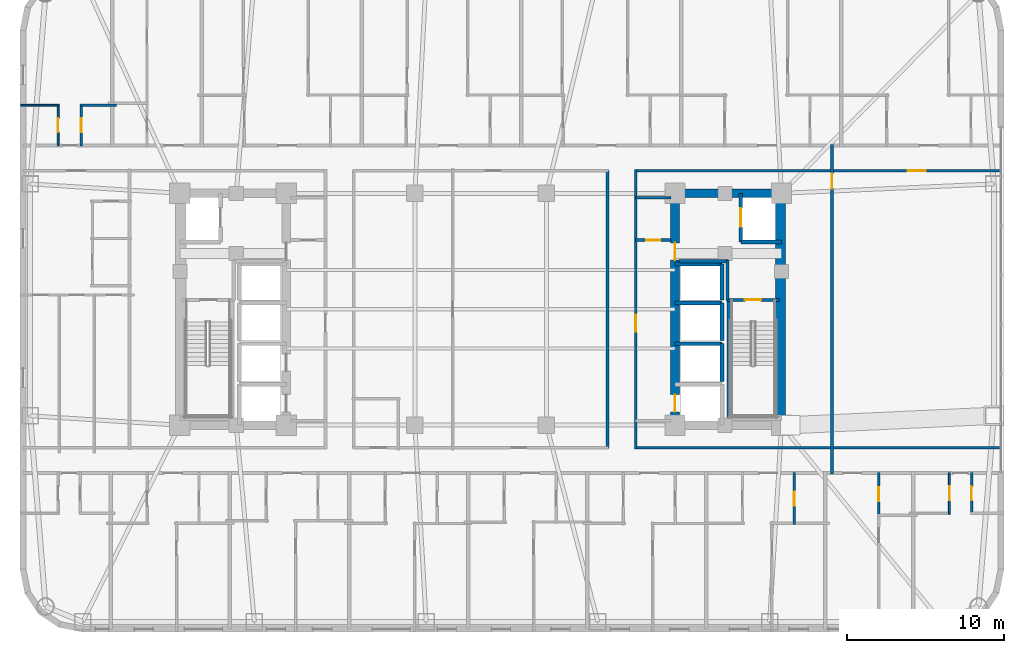
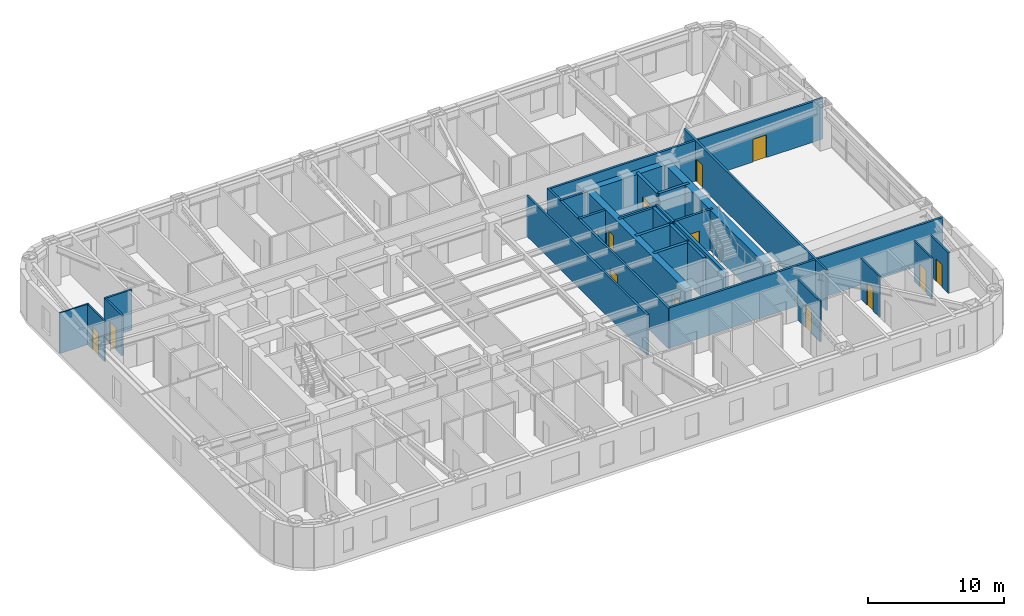
# One storey, part 11 of 16: 30 walls, 14 doors, 14 openings.
"""IFC4 building model written with IfcOpenShell, lengths in metres."""

from ifc_helpers import new_model, si_unit, direction, frame, frame_2d, origin, place, context, subcontext, project, spatial, rectangle, extrude, material, layer, layer_set, type_object, element, fill, save


model = new_model("IFC4")

# Units and contexts
model_context = context("Model", 3, precision=1e-05, world=origin(), true_north=direction((0.0, 1.0)))
body_context = subcontext(model_context, "Body", "Model", "MODEL_VIEW")
ifc_project = project(units=[si_unit("LENGTHUNIT", "METRE"), si_unit("AREAUNIT", "SQUARE_METRE"), si_unit("VOLUMEUNIT", "CUBIC_METRE"), si_unit("PLANEANGLEUNIT", "RADIAN"), si_unit("MASSUNIT", "GRAM", prefix="KILO")], contexts=[model_context])

# Site, building, storey
site_placement = place(None, origin())
site = spatial("IfcSite", under=ifc_project, at=site_placement, CompositionType="ELEMENT")
building_placement = place(site_placement, origin())
building = spatial("IfcBuilding", under=site, at=building_placement, Name="Voryun Gate Residences", CompositionType="ELEMENT")
storey_placement = place(building_placement, frame((0.0, 0.0, 93.60009765625)))
storey = spatial("IfcBuildingStorey", under=building, at=storey_placement, Name="L22", CompositionType="ELEMENT", Elevation=93.60009765625)

# Wall
ifc_material_1 = material(Name="Concrete C60/75", Category="concrete")
ifc_layer_1 = layer(ifc_material_1, 0.550048828125, Name="CW_CORE_550")
ifc_layer_set_1 = layer_set([ifc_layer_1], Name="Concrete C60/75")
wall_type_1 = type_object("IfcWallType", Name="CW_CORE_550", PredefinedType="SHEAR", material=ifc_layer_set_1)
wall_1_placement = place(storey_placement, frame((12.125, 7.39990234375, 0.0), z_axis=(0.0, 0.0, 1.0), x_axis=(1.0, 0.0, 0.0)))
element("IfcWall", 1, at=wall_1_placement, inside=storey, type_object=wall_type_1, Name="L22 Core shear wall CW-L22-EN", PredefinedType="SHEAR", context=body_context, shape_type="SweptSolid", body=[
    extrude(rectangle(XDim=7.35009765625, YDim=0.550048828125, at=frame_2d((3.675048828125, 0.0))), origin(), (0.0, 0.0, 1.0), 3.64990234375),
])

# Wall, openings, doors
wall_2_placement = place(storey_placement, frame((12.39990234375, -7.39990234375, 0.0), z_axis=(0.0, 0.0, 1.0), x_axis=(0.0, 1.0, 0.0)))
wall_2 = element("IfcWall", 2, at=wall_2_placement, inside=storey, type_object=wall_type_1, Name="L22 Core shear wall CW-L22-EW", PredefinedType="SHEAR", context=body_context, shape_type="SweptSolid", body=[
    extrude(rectangle(XDim=14.7998046875, YDim=0.550048828125, at=frame_2d((7.39990234375, 0.0))), origin(), (0.0, 0.0, 1.0), 3.64990234375),
])
opening_1_placement = place(wall_2_placement, frame((0.85009765625, 0.0, 0.0)))
opening_1 = element("IfcOpeningElement", 3, at=opening_1_placement, cuts=wall_2, Name="Opening LD2", PredefinedType="OPENING", context=body_context, shape_type="SweptSolid", body=[
    extrude(rectangle(XDim=1.10009765625, YDim=2.050048828125, at=frame_2d((0.550048828125, 1.02490234375))), frame((0.0, 0.284912109375, 0.0), z_axis=(0.0, -1.0, 0.0), x_axis=(1.0, 0.0, 0.0)), (0.0, 0.0, 1.0), 0.570068359375),
])
opening_2_placement = place(wall_2_placement, frame((10.530029296875, 0.0, 0.0)))
opening_2 = element("IfcOpeningElement", 4, at=opening_2_placement, cuts=wall_2, Name="Opening D-FD60-2", PredefinedType="OPENING", context=body_context, shape_type="SweptSolid", body=[
    extrude(rectangle(XDim=1.10009765625, YDim=2.050048828125, at=frame_2d((0.550048828125, 1.02490234375))), frame((0.0, 0.284912109375, 0.0), z_axis=(0.0, -1.0, 0.0), x_axis=(1.0, 0.0, 0.0)), (0.0, 0.0, 1.0), 0.570068359375),
])
ifc_material_2 = material(Name="Painted steel fire door", Category="steel")
door_type_1 = type_object("IfcDoorType", Name="DR_FD60_FFLOB_1100", OperationType="NOTDEFINED", PredefinedType="DOOR", material=ifc_material_2)
door_1_placement = place(opening_2_placement, origin())
door_1 = element("IfcDoor", 5, at=door_1_placement, inside=storey, type_object=door_type_1, Name="Door DR-L22-CLOB-E", OperationType="SINGLE_SWING_RIGHT", OverallHeight=2.050048828125, OverallWidth=1.10009765625, PredefinedType="DOOR", context=body_context, shape_type="SweptSolid", body=[
    extrude(rectangle(XDim=1.10009765625, YDim=2.050048828125, at=frame_2d((0.550048828125, 1.02490234375))), frame((0.0, 0.02490234375, 0.0), z_axis=(0.0, -1.0, 0.0), x_axis=(1.0, 0.0, 0.0)), (0.0, 0.0, 1.0), 0.050048828125),
])
fill(opening_2, door_1)
ifc_material_3 = material(Name="Anodised aluminium", Category="aluminium")
door_type_2 = type_object("IfcDoorType", Name="DR_LD_PASS_1100", OperationType="NOTDEFINED", PredefinedType="DOOR", material=ifc_material_3)
door_2_placement = place(opening_1_placement, origin())
door_2 = element("IfcDoor", 6, at=door_2_placement, inside=storey, type_object=door_type_2, Name="Lift EL-P3 sliding landing door L22", OperationType="SLIDING_TO_LEFT", OverallHeight=2.050048828125, OverallWidth=1.10009765625, PredefinedType="DOOR", context=body_context, shape_type="SweptSolid", body=[
    extrude(rectangle(XDim=1.10009765625, YDim=2.050048828125, at=frame_2d((0.550048828125, 1.02490234375))), frame((0.0, 0.02490234375, 0.0), z_axis=(0.0, -1.0, 0.0), x_axis=(1.0, 0.0, 0.0)), (0.0, 0.0, 1.0), 0.050048828125),
])
fill(opening_1, door_2)

# Wall
ifc_material_4 = material(Name="Concrete C60/75", Category="concrete")
ifc_layer_2 = layer(ifc_material_4, 0.64990234375, Name="CW_CORE_650")
ifc_layer_set_2 = layer_set([ifc_layer_2], Name="Concrete C60/75")
wall_type_2 = type_object("IfcWallType", Name="CW_CORE_650", PredefinedType="SHEAR", material=ifc_layer_set_2)
wall_3_placement = place(storey_placement, frame((19.14501953125, -7.39990234375, 0.0), z_axis=(0.0, 0.0, 1.0), x_axis=(0.0, 1.0, 0.0)))
element("IfcWall", 7, at=wall_3_placement, inside=storey, type_object=wall_type_2, Name="L22 Core shear wall CW-L22-EE", PredefinedType="SHEAR", context=body_context, shape_type="SweptSolid", body=[
    extrude(rectangle(XDim=14.7998046875, YDim=0.64990234375, at=frame_2d((7.39990234375, 0.0))), origin(), (0.0, 0.0, 1.0), 3.64990234375),
])

# Wall, opening, door
ifc_material_5 = material(Name="Gypsum acoustic fireboard")
ifc_layer_3 = layer(ifc_material_5, 0.179931640625, Name="W_CORR_RATED_180")
ifc_layer_set_3 = layer_set([ifc_layer_3], Name="Gypsum acoustic fireboard")
wall_type_3 = type_object("IfcWallType", Name="W_CORR_RATED_180", PredefinedType="PARTITIONING", material=ifc_layer_set_3)
wall_4_placement = place(storey_placement, frame((15.699951171875, 0.60009765625, 0.0), z_axis=(0.0, 0.0, 1.0), x_axis=(1.0, 0.0, 0.0)))
wall_4 = element("IfcWall", 8, at=wall_4_placement, inside=storey, type_object=wall_type_3, Name="Partition wall WP-L22-STV-E", PredefinedType="PARTITIONING", context=body_context, shape_type="SweptSolid", body=[
    extrude(rectangle(XDim=3.360107421875, YDim=0.179931640625, at=frame_2d((1.68017578125, 0.0))), origin(), (0.0, 0.0, 1.0), 3.64990234375),
])
opening_3_placement = place(wall_4_placement, frame((1.155029296875, 0.0, 0.0)))
opening_3 = element("IfcOpeningElement", 9, at=opening_3_placement, cuts=wall_4, Name="Opening D-FD60-1", PredefinedType="OPENING", context=body_context, shape_type="SweptSolid", body=[
    extrude(rectangle(XDim=1.050048828125, YDim=2.050048828125, at=frame_2d((0.52490234375, 1.02490234375))), frame((0.0, 0.099853515625, 0.0), z_axis=(0.0, -1.0, 0.0), x_axis=(1.0, 0.0, 0.0)), (0.0, 0.0, 1.0), 0.199951171875),
])
ifc_material_6 = material(Name="Painted steel fire door", Category="steel")
door_type_3 = type_object("IfcDoorType", Name="DR_FD60_STAIR_1050", OperationType="NOTDEFINED", PredefinedType="DOOR", material=ifc_material_6)
door_3_placement = place(opening_3_placement, origin())
door_3 = element("IfcDoor", 10, at=door_3_placement, inside=storey, type_object=door_type_3, Name="Door DR-L22-ST-E", OperationType="SINGLE_SWING_RIGHT", OverallHeight=2.050048828125, OverallWidth=1.050048828125, PredefinedType="DOOR", context=body_context, shape_type="SweptSolid", body=[
    extrude(rectangle(XDim=1.050048828125, YDim=2.050048828125, at=frame_2d((0.52490234375, 1.02490234375))), frame((0.0, 0.02490234375, 0.0), z_axis=(0.0, -1.0, 0.0), x_axis=(1.0, 0.0, 0.0)), (0.0, 0.0, 1.0), 0.050048828125),
])
fill(opening_3, door_3)

# Wall
wall_5_placement = place(storey_placement, frame((9.8798828125, 7.1201171875, 0.0), z_axis=(0.0, 0.0, 1.0), x_axis=(1.0, 0.0, 0.0)))
element("IfcWall", 11, at=wall_5_placement, inside=storey, type_object=wall_type_3, Name="Partition wall WP-L22-PLBN-E", PredefinedType="PARTITIONING", context=body_context, shape_type="SweptSolid", body=[
    extrude(rectangle(XDim=2.27001953125, YDim=0.179931640625, at=frame_2d((1.135009765625, 0.0))), origin(), (0.0, 0.0, 1.0), 3.64990234375),
])

# Wall, opening, door
wall_6_placement = place(storey_placement, frame((9.89990234375, -8.929931640625, 0.0), z_axis=(0.0, 0.0, 1.0), x_axis=(0.0, 1.0, 0.0)))
wall_6 = element("IfcWall", 12, at=wall_6_placement, inside=storey, type_object=wall_type_3, Name="Partition wall WP-L22-PLBE-FULL", PredefinedType="PARTITIONING", context=body_context, shape_type="SweptSolid", body=[
    extrude(rectangle(XDim=17.85986328125, YDim=0.179931640625, at=frame_2d((8.929931640625, 0.0))), origin(), (0.0, 0.0, 1.0), 3.64990234375),
])
opening_4_placement = place(wall_6_placement, frame((7.487060546875, 0.0, 0.0)))
opening_4 = element("IfcOpeningElement", 13, at=opening_4_placement, cuts=wall_6, Name="Opening D-FD60-2", PredefinedType="OPENING", context=body_context, shape_type="SweptSolid", body=[
    extrude(rectangle(XDim=1.10009765625, YDim=2.050048828125, at=frame_2d((0.550048828125, 1.02490234375))), frame((0.0, 0.099853515625, 0.0), z_axis=(0.0, -1.0, 0.0), x_axis=(1.0, 0.0, 0.0)), (0.0, 0.0, 1.0), 0.199951171875),
])
door_4_placement = place(opening_4_placement, origin())
door_4 = element("IfcDoor", 14, at=door_4_placement, inside=storey, type_object=door_type_1, Name="Door DR-L22-PLBE-COR", OperationType="SINGLE_SWING_RIGHT", OverallHeight=2.050048828125, OverallWidth=1.10009765625, PredefinedType="DOOR", context=body_context, shape_type="SweptSolid", body=[
    extrude(rectangle(XDim=1.10009765625, YDim=2.050048828125, at=frame_2d((0.550048828125, 1.02490234375))), frame((0.0, 0.02490234375, 0.0), z_axis=(0.0, -1.0, 0.0), x_axis=(1.0, 0.0, 0.0)), (0.0, 0.0, 1.0), 0.050048828125),
])
fill(opening_4, door_4)

wall_7_placement = place(storey_placement, frame((9.8798828125, 8.840087890625, 0.0), z_axis=(0.0, 0.0, 1.0), x_axis=(1.0, 0.0, 0.0)))
wall_7 = element("IfcWall", 15, at=wall_7_placement, inside=storey, type_object=wall_type_3, Name="Partition wall WP-L22-CWING-EN", PredefinedType="PARTITIONING", context=body_context, shape_type="SweptSolid", body=[
    extrude(rectangle(XDim=23.330078125, YDim=0.179931640625, at=frame_2d((11.6650390625, 0.0))), origin(), (0.0, 0.0, 1.0), 3.64990234375),
])
opening_5_placement = place(wall_7_placement, frame((17.36572265625, 0.0, 0.0)))
opening_5 = element("IfcOpeningElement", 16, at=opening_5_placement, cuts=wall_7, Name="Opening D-UNIT-1", PredefinedType="OPENING", context=body_context, shape_type="SweptSolid", body=[
    extrude(rectangle(XDim=1.14990234375, YDim=2.050048828125, at=frame_2d((0.574951171875, 1.02490234375))), frame((0.0, 0.099853515625, 0.0), z_axis=(0.0, -1.0, 0.0), x_axis=(1.0, 0.0, 0.0)), (0.0, 0.0, 1.0), 0.199951171875),
])
ifc_material_7 = material(Name="Armoured timber-clad fire door", Category="wood")
door_type_4 = type_object("IfcDoorType", Name="DR_UNIT_ENTRY_1150", OperationType="NOTDEFINED", PredefinedType="DOOR", material=ifc_material_7)
door_5_placement = place(opening_5_placement, origin())
door_5 = element("IfcDoor", 17, at=door_5_placement, inside=storey, type_object=door_type_4, Name="Door DR-L22-EE1N", OperationType="SINGLE_SWING_LEFT", OverallHeight=2.050048828125, OverallWidth=1.14990234375, PredefinedType="DOOR", context=body_context, shape_type="SweptSolid", body=[
    extrude(rectangle(XDim=1.14990234375, YDim=2.050048828125, at=frame_2d((0.574951171875, 1.02490234375))), frame((0.0, 0.02490234375, 0.0), z_axis=(0.0, -1.0, 0.0), x_axis=(1.0, 0.0, 0.0)), (0.0, 0.0, 1.0), 0.050048828125),
])
fill(opening_5, door_5)

# Walls
wall_8_placement = place(storey_placement, frame((9.8798828125, -8.840087890625, 0.0), z_axis=(0.0, 0.0, 1.0), x_axis=(1.0, 0.0, 0.0)))
element("IfcWall", 18, at=wall_8_placement, inside=storey, type_object=wall_type_3, Name="Partition wall WP-L22-CWING-ES", PredefinedType="PARTITIONING", context=body_context, shape_type="SweptSolid", body=[
    extrude(rectangle(XDim=23.330078125, YDim=0.179931640625, at=frame_2d((11.6650390625, 0.0))), origin(), (0.0, 0.0, 1.0), 3.64990234375),
])
wall_9_placement = place(storey_placement, frame((8.10009765625, -8.8798828125, 0.0), z_axis=(0.0, 0.0, 1.0), x_axis=(0.0, 1.0, 0.0)))
element("IfcWall", 19, at=wall_9_placement, inside=storey, type_object=wall_type_3, Name="Partition wall WP-L22-Z1E", PredefinedType="PARTITIONING", context=body_context, shape_type="SweptSolid", body=[
    extrude(rectangle(XDim=17.759765625, YDim=0.179931640625, at=frame_2d((8.8798828125, 0.0))), origin(), (0.0, 0.0, 1.0), 3.64990234375),
])

# Wall, opening, door
wall_10_placement = place(storey_placement, frame((22.419921875, -10.5, 0.0), z_axis=(0.0, 0.0, 1.0), x_axis=(0.0, 1.0, 0.0)))
wall_10 = element("IfcWall", 20, at=wall_10_placement, inside=storey, type_object=wall_type_3, Name="Partition wall WP-L22-ESG", PredefinedType="PARTITIONING", context=body_context, shape_type="SweptSolid", body=[
    extrude(rectangle(XDim=21.0, YDim=0.179931640625, at=frame_2d((10.5, 0.0))), origin(), (0.0, 0.0, 1.0), 3.64990234375),
])
opening_6_placement = place(wall_10_placement, frame((18.205078125, 0.0, 0.0)))
opening_6 = element("IfcOpeningElement", 21, at=opening_6_placement, cuts=wall_10, Name="Opening D-INT-1", PredefinedType="OPENING", context=body_context, shape_type="SweptSolid", body=[
    extrude(rectangle(XDim=0.949951171875, YDim=2.050048828125, at=frame_2d((0.47509765625, 1.02490234375))), frame((0.0, 0.099853515625, 0.0), z_axis=(0.0, -1.0, 0.0), x_axis=(1.0, 0.0, 0.0)), (0.0, 0.0, 1.0), 0.199951171875),
])
ifc_material_8 = material(Name="Architectural oak veneer")
door_type_5 = type_object("IfcDoorType", Name="DR_INT_ROOM_950", OperationType="NOTDEFINED", PredefinedType="DOOR", material=ifc_material_8)
door_6_placement = place(opening_6_placement, origin())
door_6 = element("IfcDoor", 22, at=door_6_placement, inside=storey, type_object=door_type_5, Name="Door DR-L22-ESG", OperationType="SINGLE_SWING_LEFT", OverallHeight=2.050048828125, OverallWidth=0.949951171875, PredefinedType="DOOR", context=body_context, shape_type="SweptSolid", body=[
    extrude(rectangle(XDim=0.949951171875, YDim=2.050048828125, at=frame_2d((0.47509765625, 1.02490234375))), frame((0.0, 0.02490234375, 0.0), z_axis=(0.0, -1.0, 0.0), x_axis=(1.0, 0.0, 0.0)), (0.0, 0.0, 1.0), 0.050048828125),
])
fill(opening_6, door_6)

# Walls
ifc_material_9 = material(Name="Concrete C40/50", Category="concrete")
ifc_layer_4 = layer(ifc_material_9, 0.199951171875, Name="W_FF_LOBBY_200")
ifc_layer_set_4 = layer_set([ifc_layer_4], Name="Concrete C40/50")
wall_type_4 = type_object("IfcWallType", Name="W_FF_LOBBY_200", PredefinedType="PARTITIONING", material=ifc_layer_set_4)
wall_11_placement = place(storey_placement, frame((15.760009765625, 0.580078125, 0.0), z_axis=(0.0, 0.0, 1.0), x_axis=(0.0, 1.0, 0.0)))
element("IfcWall", 23, at=wall_11_placement, inside=storey, type_object=wall_type_4, Name="Partition wall WP-L22-FFP0-E", PredefinedType="PARTITIONING", context=body_context, shape_type="SweptSolid", body=[
    extrude(rectangle(XDim=2.52001953125, YDim=0.199951171875, at=frame_2d((1.260009765625, 0.0))), origin(), (0.0, 0.0, 1.0), 3.64990234375),
])
wall_12_placement = place(storey_placement, frame((12.659912109375, 3.06005859375, 0.0), z_axis=(0.0, 0.0, 1.0), x_axis=(1.0, 0.0, 0.0)))
element("IfcWall", 24, at=wall_12_placement, inside=storey, type_object=wall_type_4, Name="Partition wall WP-L22-FFPS-E", PredefinedType="PARTITIONING", context=body_context, shape_type="SweptSolid", body=[
    extrude(rectangle(XDim=3.16015625, YDim=0.199951171875, at=frame_2d((1.580078125, 0.0))), origin(), (0.0, 0.0, 1.0), 3.64990234375),
])

# Wall, opening, door
wall_13_placement = place(storey_placement, frame((9.8798828125, 4.409912109375, 0.0), z_axis=(0.0, 0.0, 1.0), x_axis=(1.0, 0.0, 0.0)))
wall_13 = element("IfcWall", 25, at=wall_13_placement, inside=storey, type_object=wall_type_4, Name="Partition wall WP-L22-CSFLKS-E", PredefinedType="PARTITIONING", context=body_context, shape_type="SweptSolid", body=[
    extrude(rectangle(XDim=2.27001953125, YDim=0.199951171875, at=frame_2d((1.135009765625, 0.0))), origin(), (0.0, 0.0, 1.0), 3.64990234375),
])
opening_7_placement = place(wall_13_placement, frame((0.68505859375, 0.0, 0.0)))
opening_7 = element("IfcOpeningElement", 26, at=opening_7_placement, cuts=wall_13, Name="Opening D-FD60-4", PredefinedType="OPENING", context=body_context, shape_type="SweptSolid", body=[
    extrude(rectangle(XDim=0.89990234375, YDim=2.050048828125, at=frame_2d((0.449951171875, 1.02490234375))), frame((0.0, 0.110107421875, 0.0), z_axis=(0.0, -1.0, 0.0), x_axis=(1.0, 0.0, 0.0)), (0.0, 0.0, 1.0), 0.219970703125),
])
ifc_material_10 = material(Name="Painted steel fire door", Category="steel")
door_type_6 = type_object("IfcDoorType", Name="DR_FD60_RISER_900", OperationType="NOTDEFINED", PredefinedType="DOOR", material=ifc_material_10)
door_7_placement = place(opening_7_placement, origin())
door_7 = element("IfcDoor", 27, at=door_7_placement, inside=storey, type_object=door_type_6, Name="Door DR-L22-CSFLK-E", OperationType="SINGLE_SWING_RIGHT", OverallHeight=2.050048828125, OverallWidth=0.89990234375, PredefinedType="DOOR", context=body_context, shape_type="SweptSolid", body=[
    extrude(rectangle(XDim=0.89990234375, YDim=2.050048828125, at=frame_2d((0.449951171875, 1.02490234375))), frame((0.0, 0.02490234375, 0.0), z_axis=(0.0, -1.0, 0.0), x_axis=(1.0, 0.0, 0.0)), (0.0, 0.0, 1.0), 0.050048828125),
])
fill(opening_7, door_7)

# Walls
ifc_material_11 = material(Name="Concrete C50/60", Category="concrete")
ifc_layer_5 = layer(ifc_material_11, 0.25, Name="W_SHAFT_RC250")
ifc_layer_set_5 = layer_set([ifc_layer_5], Name="Concrete C50/60")
wall_type_5 = type_object("IfcWallType", Name="W_SHAFT_RC250", PredefinedType="SOLIDWALL", material=ifc_layer_set_5)
wall_14_placement = place(storey_placement, frame((15.860107421875, -7.0849609375, 0.0), z_axis=(0.0, 0.0, 1.0), x_axis=(0.0, 1.0, 0.0)))
element("IfcWall", 28, at=wall_14_placement, inside=storey, type_object=wall_type_5, Name="L22 Stair shaft structural wall E-STL", PredefinedType="SOLIDWALL", context=body_context, shape_type="SweptSolid", body=[
    extrude(rectangle(XDim=7.68505859375, YDim=0.25, at=frame_2d((3.842529296875, 0.0))), origin(), (0.0, 0.0, 1.0), 3.64990234375),
])
wall_15_placement = place(storey_placement, frame((16.60009765625, 4.300048828125, 0.0), z_axis=(0.0, 0.0, 1.0), x_axis=(1.0, 0.0, 0.0)))
element("IfcWall", 29, at=wall_15_placement, inside=storey, type_object=wall_type_5, Name="Lift shaft wall WSH-L22-EL-FF-E1-S", PredefinedType="SOLIDWALL", context=body_context, shape_type="SweptSolid", body=[
    extrude(rectangle(XDim=2.599853515625, YDim=0.25, at=frame_2d((1.2998046875, 0.0))), origin(), (0.0, 0.0, 1.0), 3.64990234375),
])

# Wall, opening, door
wall_16_placement = place(storey_placement, frame((16.60009765625, 7.39990234375, 0.0), z_axis=(0.0, 0.0, 1.0), x_axis=(0.0, -1.0, 0.0)))
wall_16 = element("IfcWall", 30, at=wall_16_placement, inside=storey, type_object=wall_type_5, Name="Lift shaft wall WSH-L22-EL-FF-E1-W", PredefinedType="SOLIDWALL", context=body_context, shape_type="SweptSolid", body=[
    extrude(rectangle(XDim=3.099853515625, YDim=0.25, at=frame_2d((1.5498046875, 0.0))), origin(), (0.0, 0.0, 1.0), 3.64990234375),
])
opening_8_placement = place(wall_16_placement, frame((0.949951171875, 0.0, 0.0)))
opening_8 = element("IfcOpeningElement", 31, at=opening_8_placement, cuts=wall_16, Name="Opening LD1", PredefinedType="OPENING", context=body_context, shape_type="SweptSolid", body=[
    extrude(rectangle(XDim=1.199951171875, YDim=2.050048828125, at=frame_2d((0.60009765625, 1.02490234375))), frame((0.0, 0.135009765625, 0.0), z_axis=(0.0, -1.0, 0.0), x_axis=(1.0, 0.0, 0.0)), (0.0, 0.0, 1.0), 0.27001953125),
])
ifc_material_12 = material(Name="Anodised aluminium", Category="aluminium")
door_type_7 = type_object("IfcDoorType", Name="DR_LD_FF_1200", OperationType="NOTDEFINED", PredefinedType="DOOR", material=ifc_material_12)
door_8_placement = place(opening_8_placement, origin())
door_8 = element("IfcDoor", 32, at=door_8_placement, inside=storey, type_object=door_type_7, Name="Lift EL-FF-E1 sliding landing door L22", OperationType="SLIDING_TO_LEFT", OverallHeight=2.050048828125, OverallWidth=1.199951171875, PredefinedType="DOOR", context=body_context, shape_type="SweptSolid", body=[
    extrude(rectangle(XDim=1.199951171875, YDim=2.050048828125, at=frame_2d((0.60009765625, 1.02490234375))), frame((0.0, 0.02490234375, 0.0), z_axis=(0.0, -1.0, 0.0), x_axis=(1.0, 0.0, 0.0)), (0.0, 0.0, 1.0), 0.050048828125),
])
fill(opening_8, door_8)

# Walls
wall_17_placement = place(storey_placement, frame((15.39990234375, -4.60009765625, 0.0), z_axis=(0.0, 0.0, 1.0), x_axis=(0.0, 1.0, 0.0)))
element("IfcWall", 33, at=wall_17_placement, inside=storey, type_object=wall_type_5, Name="Lift shaft wall WSH-L22-EL-P5-E", PredefinedType="SOLIDWALL", context=body_context, shape_type="SweptSolid", body=[
    extrude(rectangle(XDim=2.400146484375, YDim=0.25, at=frame_2d((1.2001953125, 0.0))), origin(), (0.0, 0.0, 1.0), 3.64990234375),
])
wall_18_placement = place(storey_placement, frame((15.39990234375, -2.199951171875, 0.0), z_axis=(0.0, 0.0, 1.0), x_axis=(-1.0, 0.0, 0.0)))
element("IfcWall", 34, at=wall_18_placement, inside=storey, type_object=wall_type_5, Name="Lift shaft wall WSH-L22-EL-P5-N", PredefinedType="SOLIDWALL", context=body_context, shape_type="SweptSolid", body=[
    extrude(rectangle(XDim=3.0, YDim=0.25, at=frame_2d((1.5, 0.0))), origin(), (0.0, 0.0, 1.0), 3.64990234375),
])
wall_19_placement = place(storey_placement, frame((15.39990234375, -2.0, 0.0), z_axis=(0.0, 0.0, 1.0), x_axis=(0.0, 1.0, 0.0)))
element("IfcWall", 35, at=wall_19_placement, inside=storey, type_object=wall_type_5, Name="Lift shaft wall WSH-L22-EL-P6-E", PredefinedType="SOLIDWALL", context=body_context, shape_type="SweptSolid", body=[
    extrude(rectangle(XDim=2.39990234375, YDim=0.25, at=frame_2d((1.199951171875, 0.0))), origin(), (0.0, 0.0, 1.0), 3.64990234375),
])
wall_20_placement = place(storey_placement, frame((15.39990234375, 0.39990234375, 0.0), z_axis=(0.0, 0.0, 1.0), x_axis=(-1.0, 0.0, 0.0)))
element("IfcWall", 36, at=wall_20_placement, inside=storey, type_object=wall_type_5, Name="Lift shaft wall WSH-L22-EL-P6-N", PredefinedType="SOLIDWALL", context=body_context, shape_type="SweptSolid", body=[
    extrude(rectangle(XDim=3.0, YDim=0.25, at=frame_2d((1.5, 0.0))), origin(), (0.0, 0.0, 1.0), 3.64990234375),
])
wall_21_placement = place(storey_placement, frame((15.39990234375, 0.60009765625, 0.0), z_axis=(0.0, 0.0, 1.0), x_axis=(0.0, 1.0, 0.0)))
element("IfcWall", 37, at=wall_21_placement, inside=storey, type_object=wall_type_5, Name="Lift shaft wall WSH-L22-EL-P8-E", PredefinedType="SOLIDWALL", context=body_context, shape_type="SweptSolid", body=[
    extrude(rectangle(XDim=2.2998046875, YDim=0.25, at=frame_2d((1.14990234375, 0.0))), origin(), (0.0, 0.0, 1.0), 3.64990234375),
])
wall_22_placement = place(storey_placement, frame((15.39990234375, 2.89990234375, 0.0), z_axis=(0.0, 0.0, 1.0), x_axis=(-1.0, 0.0, 0.0)))
element("IfcWall", 38, at=wall_22_placement, inside=storey, type_object=wall_type_5, Name="Lift shaft wall WSH-L22-EL-P8-N", PredefinedType="SOLIDWALL", context=body_context, shape_type="SweptSolid", body=[
    extrude(rectangle(XDim=3.0, YDim=0.25, at=frame_2d((1.5, 0.0))), origin(), (0.0, 0.0, 1.0), 3.64990234375),
])

# Wall, opening, door
ifc_material_13 = material(Name="Gypsum acoustic partition")
ifc_layer_6 = layer(ifc_material_13, 0.125, Name="W_UNIT_PART_125")
ifc_layer_set_6 = layer_set([ifc_layer_6], Name="Gypsum acoustic partition")
wall_type_6 = type_object("IfcWallType", Name="W_UNIT_PART_125", PredefinedType="PARTITIONING", material=ifc_layer_set_6)
wall_23_placement = place(storey_placement, frame((-26.968017578125, 10.429931640625, 0.0), z_axis=(0.0, 0.0, 1.0), x_axis=(0.0, 1.0, 0.0)))
wall_23 = element("IfcWall", 39, at=wall_23_placement, inside=storey, type_object=wall_type_6, Name="Partition wall WP-L22-N1-CVK", PredefinedType="PARTITIONING", context=body_context, shape_type="SweptSolid", body=[
    extrude(rectangle(XDim=2.650146484375, YDim=0.125, at=frame_2d((1.3251953125, 0.0))), origin(), (0.0, 0.0, 1.0), 3.64990234375),
])
opening_9_placement = place(wall_23_placement, frame((0.875, 0.0, 0.0)))
opening_9 = element("IfcOpeningElement", 40, at=opening_9_placement, cuts=wall_23, Name="Opening D-INT-2", PredefinedType="OPENING", context=body_context, shape_type="SweptSolid", body=[
    extrude(rectangle(XDim=0.89990234375, YDim=2.050048828125, at=frame_2d((0.449951171875, 1.02490234375))), frame((0.0, 0.072509765625, 0.0), z_axis=(0.0, -1.0, 0.0), x_axis=(1.0, 0.0, 0.0)), (0.0, 0.0, 1.0), 0.14501953125),
])
ifc_material_14 = material(Name="Architectural oak veneer")
door_type_8 = type_object("IfcDoorType", Name="DR_INT_BATH_900", OperationType="NOTDEFINED", PredefinedType="DOOR", material=ifc_material_14)
door_9_placement = place(opening_9_placement, origin())
door_9 = element("IfcDoor", 41, at=door_9_placement, inside=storey, type_object=door_type_8, Name="Door DR-L22-N1-DK", OperationType="SINGLE_SWING_LEFT", OverallHeight=2.050048828125, OverallWidth=0.89990234375, PredefinedType="DOOR", context=body_context, shape_type="SweptSolid", body=[
    extrude(rectangle(XDim=0.89990234375, YDim=2.050048828125, at=frame_2d((0.449951171875, 1.02490234375))), frame((0.0, 0.02490234375, 0.0), z_axis=(0.0, -1.0, 0.0), x_axis=(1.0, 0.0, 0.0)), (0.0, 0.0, 1.0), 0.050048828125),
])
fill(opening_9, door_9)

# Wall
wall_24_placement = place(storey_placement, frame((-29.360107421875, 13.02001953125, 0.0), z_axis=(0.0, 0.0, 1.0), x_axis=(1.0, 0.0, 0.0)))
element("IfcWall", 42, at=wall_24_placement, inside=storey, type_object=wall_type_6, Name="Partition wall WP-L22-N1-CHK", PredefinedType="PARTITIONING", context=body_context, shape_type="SweptSolid", body=[
    extrude(rectangle(XDim=2.4521484375, YDim=0.125, at=frame_2d((1.22607421875, 0.0))), origin(), (0.0, 0.0, 1.0), 3.64990234375),
])

# Wall, opening, door
wall_25_placement = place(storey_placement, frame((29.9189453125, -13.080078125, 0.0), z_axis=(0.0, 0.0, 1.0), x_axis=(0.0, 1.0, 0.0)))
wall_25 = element("IfcWall", 43, at=wall_25_placement, inside=storey, type_object=wall_type_6, Name="Partition wall WP-L22-S9-CVK", PredefinedType="PARTITIONING", context=body_context, shape_type="SweptSolid", body=[
    extrude(rectangle(XDim=2.650146484375, YDim=0.125, at=frame_2d((1.3251953125, 0.0))), origin(), (0.0, 0.0, 1.0), 3.64990234375),
])
opening_10_placement = place(wall_25_placement, frame((0.875, 0.0, 0.0)))
opening_10 = element("IfcOpeningElement", 44, at=opening_10_placement, cuts=wall_25, Name="Opening D-INT-2", PredefinedType="OPENING", context=body_context, shape_type="SweptSolid", body=[
    extrude(rectangle(XDim=0.89990234375, YDim=2.050048828125, at=frame_2d((0.449951171875, 1.02490234375))), frame((0.0, 0.072509765625, 0.0), z_axis=(0.0, -1.0, 0.0), x_axis=(1.0, 0.0, 0.0)), (0.0, 0.0, 1.0), 0.14501953125),
])
door_10_placement = place(opening_10_placement, origin())
door_10 = element("IfcDoor", 45, at=door_10_placement, inside=storey, type_object=door_type_8, Name="Door DR-L22-S9-DK", OperationType="SINGLE_SWING_LEFT", OverallHeight=2.050048828125, OverallWidth=0.89990234375, PredefinedType="DOOR", context=body_context, shape_type="SweptSolid", body=[
    extrude(rectangle(XDim=0.89990234375, YDim=2.050048828125, at=frame_2d((0.449951171875, 1.02490234375))), frame((0.0, 0.02490234375, 0.0), z_axis=(0.0, -1.0, 0.0), x_axis=(1.0, 0.0, 0.0)), (0.0, 0.0, 1.0), 0.050048828125),
])
fill(opening_10, door_10)

ifc_material_15 = material(Name="Gypsum moisture-resistant partition")
ifc_layer_7 = layer(ifc_material_15, 0.14990234375, Name="W_WET_PLUMB_150")
ifc_layer_set_7 = layer_set([ifc_layer_7], Name="Gypsum moisture-resistant partition")
wall_type_7 = type_object("IfcWallType", Name="W_WET_PLUMB_150", PredefinedType="PLUMBINGWALL", material=ifc_layer_set_7)
wall_26_placement = place(storey_placement, frame((-25.489990234375, 10.429931640625, 0.0), z_axis=(0.0, 0.0, 1.0), x_axis=(0.0, 1.0, 0.0)))
wall_26 = element("IfcWall", 46, at=wall_26_placement, inside=storey, type_object=wall_type_7, Name="Partition wall WP-L22-N1-CVB", PredefinedType="PLUMBINGWALL", context=body_context, shape_type="SweptSolid", body=[
    extrude(rectangle(XDim=2.650146484375, YDim=0.14990234375, at=frame_2d((1.3251953125, 0.0))), origin(), (0.0, 0.0, 1.0), 3.64990234375),
])
opening_11_placement = place(wall_26_placement, frame((0.875, 0.0, 0.0)))
opening_11 = element("IfcOpeningElement", 47, at=opening_11_placement, cuts=wall_26, Name="Opening D-INT-2", PredefinedType="OPENING", context=body_context, shape_type="SweptSolid", body=[
    extrude(rectangle(XDim=0.89990234375, YDim=2.050048828125, at=frame_2d((0.449951171875, 1.02490234375))), frame((0.0, 0.0849609375, 0.0), z_axis=(0.0, -1.0, 0.0), x_axis=(1.0, 0.0, 0.0)), (0.0, 0.0, 1.0), 0.169921875),
])
door_11_placement = place(opening_11_placement, origin())
door_11 = element("IfcDoor", 48, at=door_11_placement, inside=storey, type_object=door_type_8, Name="Door DR-L22-N1-DB", OperationType="SINGLE_SWING_RIGHT", OverallHeight=2.050048828125, OverallWidth=0.89990234375, PredefinedType="DOOR", context=body_context, shape_type="SweptSolid", body=[
    extrude(rectangle(XDim=0.89990234375, YDim=2.050048828125, at=frame_2d((0.449951171875, 1.02490234375))), frame((0.0, 0.02490234375, 0.0), z_axis=(0.0, -1.0, 0.0), x_axis=(1.0, 0.0, 0.0)), (0.0, 0.0, 1.0), 0.050048828125),
])
fill(opening_11, door_11)

# Wall
wall_27_placement = place(storey_placement, frame((-25.550048828125, 13.02001953125, 0.0), z_axis=(0.0, 0.0, 1.0), x_axis=(1.0, 0.0, 0.0)))
element("IfcWall", 49, at=wall_27_placement, inside=storey, type_object=wall_type_7, Name="Partition wall WP-L22-N1-CHB", PredefinedType="PLUMBINGWALL", context=body_context, shape_type="SweptSolid", body=[
    extrude(rectangle(XDim=2.301025390625, YDim=0.14990234375, at=frame_2d((1.150390625, 0.0))), origin(), (0.0, 0.0, 1.0), 3.64990234375),
])

# Wall, opening, door
wall_28_placement = place(storey_placement, frame((20.02001953125, -13.73291015625, 0.0), z_axis=(0.0, 0.0, 1.0), x_axis=(0.0, 1.0, 0.0)))
wall_28 = element("IfcWall", 50, at=wall_28_placement, inside=storey, type_object=wall_type_7, Name="Partition wall WP-L22-S7-IVB", PredefinedType="PLUMBINGWALL", context=body_context, shape_type="SweptSolid", body=[
    extrude(rectangle(XDim=3.302978515625, YDim=0.14990234375, at=frame_2d((1.6513671875, 0.0))), origin(), (0.0, 0.0, 1.0), 3.64990234375),
])
opening_12_placement = place(wall_28_placement, frame((1.201416015625, 0.0, 0.0)))
opening_12 = element("IfcOpeningElement", 51, at=opening_12_placement, cuts=wall_28, Name="Opening D-INT-2", PredefinedType="OPENING", context=body_context, shape_type="SweptSolid", body=[
    extrude(rectangle(XDim=0.89990234375, YDim=2.050048828125, at=frame_2d((0.449951171875, 1.02490234375))), frame((0.0, 0.0849609375, 0.0), z_axis=(0.0, -1.0, 0.0), x_axis=(1.0, 0.0, 0.0)), (0.0, 0.0, 1.0), 0.169921875),
])
door_12_placement = place(opening_12_placement, origin())
door_12 = element("IfcDoor", 52, at=door_12_placement, inside=storey, type_object=door_type_8, Name="Door DR-L22-S7-DB", OperationType="SINGLE_SWING_RIGHT", OverallHeight=2.050048828125, OverallWidth=0.89990234375, PredefinedType="DOOR", context=body_context, shape_type="SweptSolid", body=[
    extrude(rectangle(XDim=0.89990234375, YDim=2.050048828125, at=frame_2d((0.449951171875, 1.02490234375))), frame((0.0, 0.02490234375, 0.0), z_axis=(0.0, -1.0, 0.0), x_axis=(1.0, 0.0, 0.0)), (0.0, 0.0, 1.0), 0.050048828125),
])
fill(opening_12, door_12)

wall_29_placement = place(storey_placement, frame((25.39892578125, -13.18994140625, 0.0), z_axis=(0.0, 0.0, 1.0), x_axis=(0.0, 1.0, 0.0)))
wall_29 = element("IfcWall", 53, at=wall_29_placement, inside=storey, type_object=wall_type_7, Name="Partition wall WP-L22-S8-SVT2", PredefinedType="PLUMBINGWALL", context=body_context, shape_type="SweptSolid", body=[
    extrude(rectangle(XDim=2.760009765625, YDim=0.14990234375, at=frame_2d((1.3798828125, 0.0))), origin(), (0.0, 0.0, 1.0), 3.64990234375),
])
opening_13_placement = place(wall_29_placement, frame((0.929931640625, 0.0, 0.0)))
opening_13 = element("IfcOpeningElement", 54, at=opening_13_placement, cuts=wall_29, Name="Opening D-INT-2", PredefinedType="OPENING", context=body_context, shape_type="SweptSolid", body=[
    extrude(rectangle(XDim=0.89990234375, YDim=2.050048828125, at=frame_2d((0.449951171875, 1.02490234375))), frame((0.0, 0.0849609375, 0.0), z_axis=(0.0, -1.0, 0.0), x_axis=(1.0, 0.0, 0.0)), (0.0, 0.0, 1.0), 0.169921875),
])
door_13_placement = place(opening_13_placement, origin())
door_13 = element("IfcDoor", 55, at=door_13_placement, inside=storey, type_object=door_type_8, Name="Door DR-L22-S8-DB", OperationType="SINGLE_SWING_RIGHT", OverallHeight=2.050048828125, OverallWidth=0.89990234375, PredefinedType="DOOR", context=body_context, shape_type="SweptSolid", body=[
    extrude(rectangle(XDim=0.89990234375, YDim=2.050048828125, at=frame_2d((0.449951171875, 1.02490234375))), frame((0.0, 0.02490234375, 0.0), z_axis=(0.0, -1.0, 0.0), x_axis=(1.0, 0.0, 0.0)), (0.0, 0.0, 1.0), 0.050048828125),
])
fill(opening_13, door_13)

wall_30_placement = place(storey_placement, frame((31.3310546875, -13.080078125, 0.0), z_axis=(0.0, 0.0, 1.0), x_axis=(0.0, 1.0, 0.0)))
wall_30 = element("IfcWall", 56, at=wall_30_placement, inside=storey, type_object=wall_type_7, Name="Partition wall WP-L22-S9-CVB", PredefinedType="PLUMBINGWALL", context=body_context, shape_type="SweptSolid", body=[
    extrude(rectangle(XDim=2.650146484375, YDim=0.14990234375, at=frame_2d((1.3251953125, 0.0))), origin(), (0.0, 0.0, 1.0), 3.64990234375),
])
opening_14_placement = place(wall_30_placement, frame((0.875, 0.0, 0.0)))
opening_14 = element("IfcOpeningElement", 57, at=opening_14_placement, cuts=wall_30, Name="Opening D-INT-2", PredefinedType="OPENING", context=body_context, shape_type="SweptSolid", body=[
    extrude(rectangle(XDim=0.89990234375, YDim=2.050048828125, at=frame_2d((0.449951171875, 1.02490234375))), frame((0.0, 0.0849609375, 0.0), z_axis=(0.0, -1.0, 0.0), x_axis=(1.0, 0.0, 0.0)), (0.0, 0.0, 1.0), 0.169921875),
])
door_14_placement = place(opening_14_placement, origin())
door_14 = element("IfcDoor", 58, at=door_14_placement, inside=storey, type_object=door_type_8, Name="Door DR-L22-S9-DB", OperationType="SINGLE_SWING_RIGHT", OverallHeight=2.050048828125, OverallWidth=0.89990234375, PredefinedType="DOOR", context=body_context, shape_type="SweptSolid", body=[
    extrude(rectangle(XDim=0.89990234375, YDim=2.050048828125, at=frame_2d((0.449951171875, 1.02490234375))), frame((0.0, 0.02490234375, 0.0), z_axis=(0.0, -1.0, 0.0), x_axis=(1.0, 0.0, 0.0)), (0.0, 0.0, 1.0), 0.050048828125),
])
fill(opening_14, door_14)

save(model, "model.ifc")
